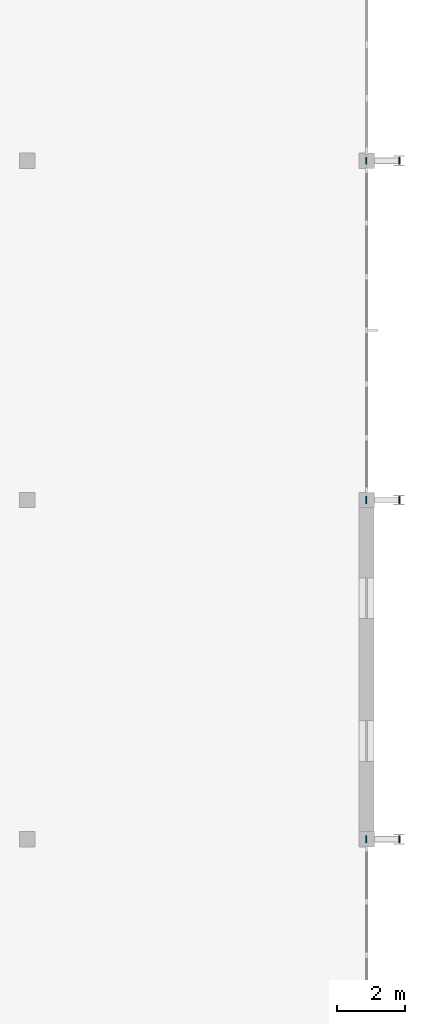
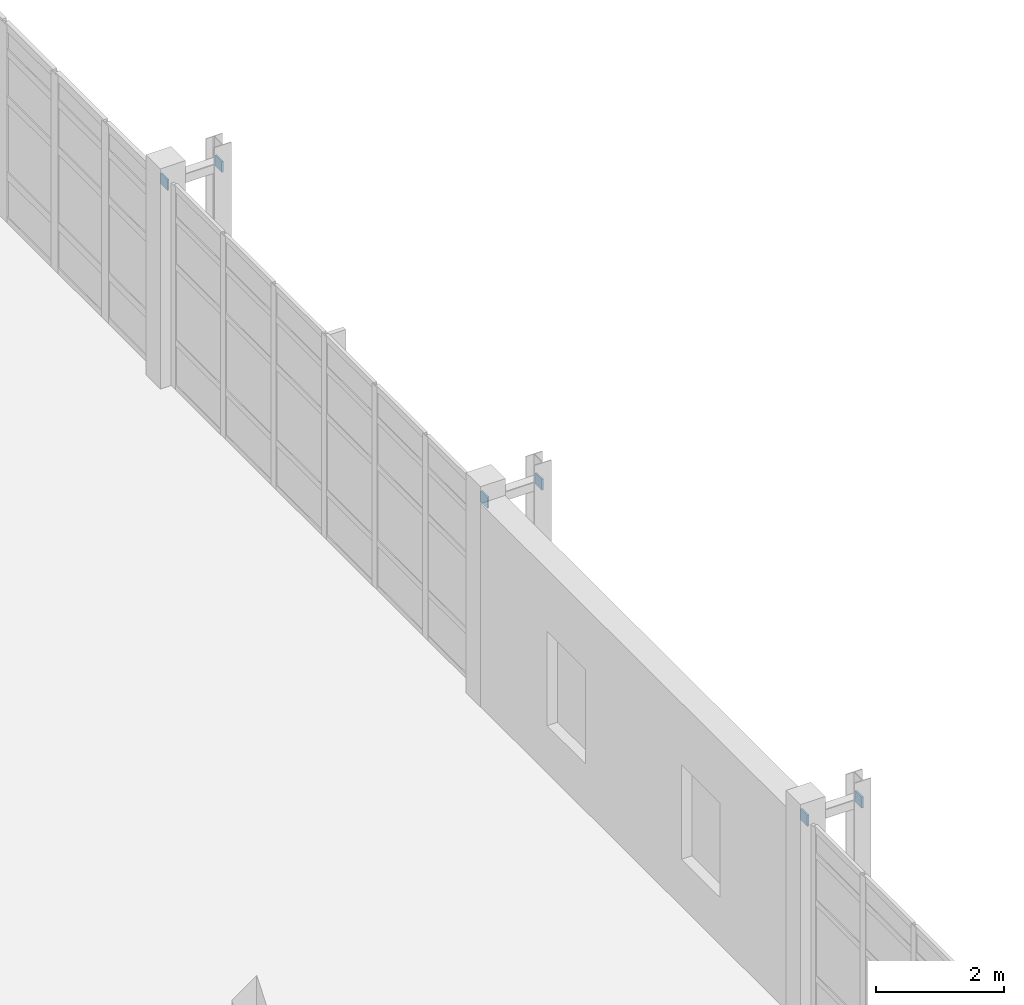
# One storey, part 103 of 122: 6 plates.
"""IFC4 building model written with IfcOpenShell, lengths in metres."""

from ifc_helpers import new_model, si_unit, direction, frame, origin, origin_2d, place, context, subcontext, project, spatial, rectangle, extrude, material, layer, layer_set, type_object, element, save


model = new_model("IFC4")

# Units and contexts
model_context = context("Model", 3, precision=1e-05, world=origin(), true_north=direction((0.0, 1.0)))
body_context = subcontext(model_context, "Body", "Model", "MODEL_VIEW")
ifc_project = project(units=[si_unit("LENGTHUNIT", "METRE"), si_unit("AREAUNIT", "SQUARE_METRE"), si_unit("VOLUMEUNIT", "CUBIC_METRE"), si_unit("PLANEANGLEUNIT", "RADIAN"), si_unit("MASSUNIT", "GRAM", prefix="KILO"), si_unit("THERMODYNAMICTEMPERATUREUNIT", "KELVIN"), si_unit("POWERUNIT", "WATT")], contexts=[model_context])

# Site, building, storey
site_placement = place(None, origin())
site = spatial("IfcSite", under=ifc_project, at=site_placement, CompositionType="ELEMENT")
building_placement = place(site_placement, origin())
building = spatial("IfcBuilding", under=site, at=building_placement, Name="Korenveer Ferry Terminal", CompositionType="ELEMENT")
storey_placement = place(building_placement, frame((0.0, 0.0, 10.199951171875)))
storey = spatial("IfcBuildingStorey", under=building, at=storey_placement, Name="L02", CompositionType="ELEMENT", Elevation=10.199951171875)

# Plates
ifc_material = material(Name="Steel S355", Category="steel")
ifc_layer = layer(ifc_material, 0.031982421875)
ifc_layer_set = layer_set([ifc_layer], Name="Steel S355")
plate_type = type_object("IfcPlateType", Name="STR-PLT-CAP32", PredefinedType="USERDEFINED", material=ifc_layer_set)
for number, where, z_axis, x_axis, name in (
    (1, (175.9677734375, 50.0, 3.75), (1.0, 0.0, 0.0), (0.0, 1.0, 0.0), "Hollow section end cap 135"),
    (2, (176.9501953125, 50.0, 3.75), (1.0, 0.0, 0.0), (0.0, 1.0, 0.0), "Hollow section end cap 136"),
    (3, (175.9677734375, 60.0, 3.75), (1.0, 0.0, 0.0), (0.0, 1.0, 0.0), "Hollow section end cap 141"),
    (4, (176.9501953125, 60.0, 3.75), (1.0, 0.0, 0.0), (0.0, 1.0, 0.0), "Hollow section end cap 142"),
    (5, (175.9677734375, 70.0, 3.75), (1.0, 0.0, 0.0), (0.0, 1.0, 0.0), "Hollow section end cap 147"),
    (6, (176.9501953125, 70.0, 3.75), (1.0, 0.0, 0.0), (0.0, 1.0, 0.0), "Hollow section end cap 148"),
):
    element("IfcPlate", number, at=place(storey_placement, frame(where, z_axis=z_axis, x_axis=x_axis)), inside=storey, type_object=plate_type, Name=name, ObjectType="END CAP PLATE", PredefinedType="USERDEFINED", context=body_context, shape_type="SweptSolid", body=[
        extrude(rectangle(XDim=0.2099609375, YDim=0.2099609375, at=origin_2d()), origin(), (0.0, 0.0, 1.0), 0.031982421875),
    ])

save(model, "model.ifc")
